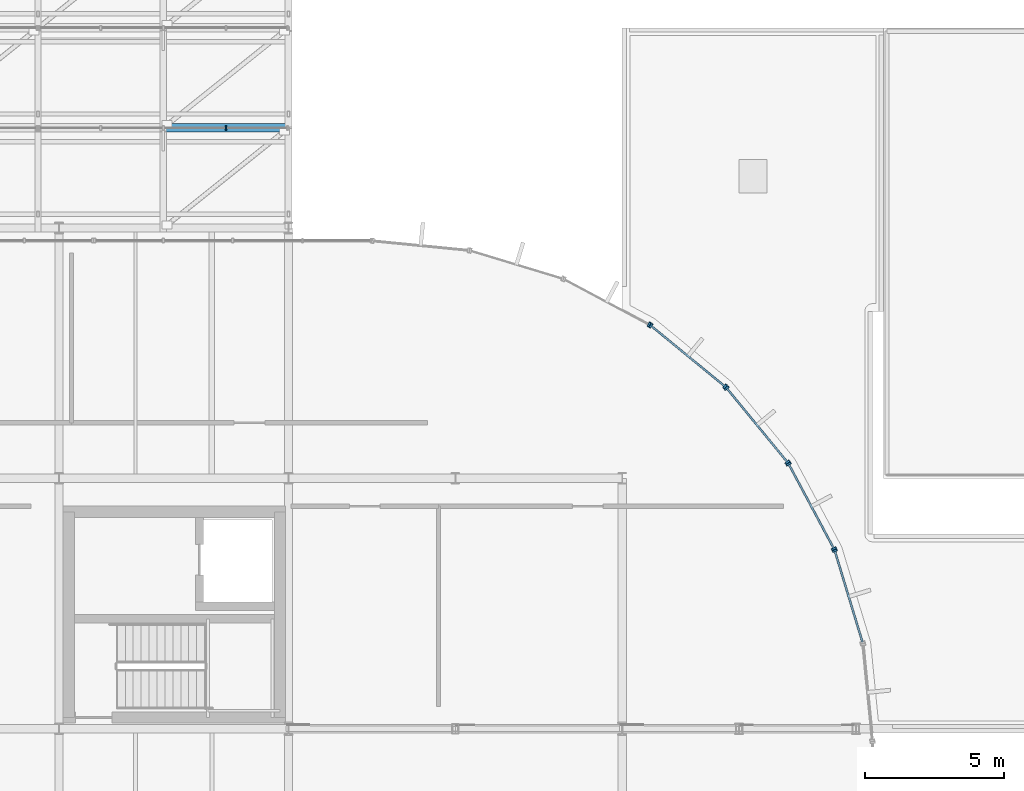
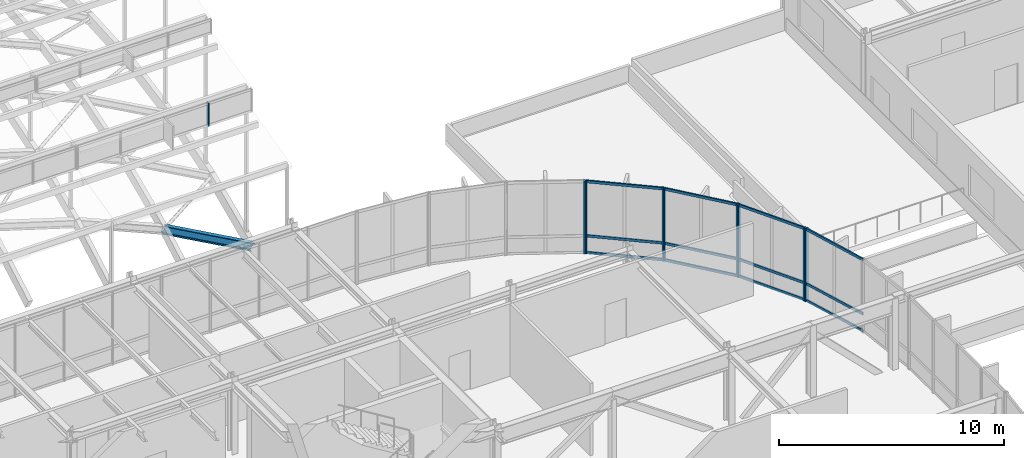
# One storey, part 24 of 69: 21 members, 1 beam, 6 elements without a shape of their own.
"""IFC4 building model written with IfcOpenShell, lengths in metres."""

import ifcopenshell
import ifcopenshell.guid

model = None  # the IFC model being written
_history = None  # IfcOwnerHistory: only IFC2X3 demands one
_inside = {}  # id of a spatial element -> (the spatial element, [elements in it])
_under = {}  # id of a project, library or spatial element -> (it, [spatial elements below it])
_declared = {}  # id of a project -> (the project, [libraries it declares])
_typed = {}  # id of a type object -> (the type object, [elements of that type])
_made_of = {}  # id of a material, layer set ... -> (it, [elements and type objects made of it])


def new_model(schema):
    """Start an empty IFC model of exactly this schema.

    Asked for "IFC4X3", IfcOpenShell would pick the latest addendum, in which some entities
    have other attributes; the version numbers below select the first issue.
    IFC2X3 requires an IfcOwnerHistory on every rooted entity: one is made here for all.
    """
    global model, _history
    if schema == "IFC4X3":
        model = ifcopenshell.file(schema_version=(4, 3, 0, 0))
    else:
        model = ifcopenshell.file(schema=schema)
    _inside.clear()
    _under.clear()
    _declared.clear()
    _typed.clear()
    _made_of.clear()
    _history = None
    if model.schema == "IFC2X3":
        org = make("IfcOrganization", Name="unknown")
        user = make(
            "IfcPersonAndOrganization",
            ThePerson=make("IfcPerson", FamilyName="unknown"),
            TheOrganization=org,
        )
        app = make(
            "IfcApplication",
            ApplicationDeveloper=org,
            Version="unknown",
            ApplicationFullName="unknown",
            ApplicationIdentifier="unknown",
        )
        _history = make(
            "IfcOwnerHistory",
            OwningUser=user,
            OwningApplication=app,
            ChangeAction="ADDED",
            CreationDate=0,
        )
    return model


def make(cls, **values):
    """One entity of the class cls with the attributes given. An attribute that is None is left unset."""
    return model.create_entity(
        cls, **{name: value for name, value in values.items() if value is not None}
    )


def rooted(cls, **values):
    """An entity with a GlobalId (a new one), such as an element, a storey or a relation."""
    return make(cls, GlobalId=ifcopenshell.guid.new(), OwnerHistory=_history, **values)


def si_unit(unit_type, name, prefix=None):
    """IfcSIUnit, for example si_unit("LENGTHUNIT", "METRE", prefix="MILLI")."""
    return make("IfcSIUnit", UnitType=unit_type, Prefix=prefix, Name=name)


def assignment(units):
    """IfcUnitAssignment: the units of a project."""
    return None if units is None else make("IfcUnitAssignment", Units=units)


def point(xyz):
    """IfcCartesianPoint."""
    return None if xyz is None else make("IfcCartesianPoint", Coordinates=xyz)


def direction(xyz):
    """IfcDirection."""
    return None if xyz is None else make("IfcDirection", DirectionRatios=xyz)


def frame(location, z_axis=None, x_axis=None):
    """IfcAxis2Placement3D, a coordinate frame: its origin and axes. An axis left out is left unset."""
    return make(
        "IfcAxis2Placement3D",
        Location=point(location),
        Axis=direction(z_axis),
        RefDirection=direction(x_axis),
    )


def frame_2d(location, x_axis=None):
    """IfcAxis2Placement2D, a coordinate frame in the plane: its origin and x axis."""
    return make(
        "IfcAxis2Placement2D", Location=point(location), RefDirection=direction(x_axis)
    )


def origin():
    """The frame at (0, 0, 0) with its axes left unset."""
    return frame((0.0, 0.0, 0.0))


def origin_2d():
    """The frame at (0, 0) in the plane with its x axis left unset."""
    return frame_2d((0.0, 0.0))


def place(relative_to, where):
    """IfcLocalPlacement: puts the frame where relative to a parent placement (None: the world)."""
    return make(
        "IfcLocalPlacement", PlacementRelTo=relative_to, RelativePlacement=where
    )


def context(
    kind, dimensions, precision=None, world=None, true_north=None, identifier=None
):
    """IfcGeometricRepresentationContext, for example the 3D "Model" context."""
    return make(
        "IfcGeometricRepresentationContext",
        ContextIdentifier=identifier,
        ContextType=kind,
        CoordinateSpaceDimension=dimensions,
        Precision=precision,
        WorldCoordinateSystem=world,
        TrueNorth=true_north,
    )


def subcontext(parent, identifier, kind, view, scale=None):
    """IfcGeometricRepresentationSubContext, for example "Body" below "Model"."""
    return make(
        "IfcGeometricRepresentationSubContext",
        ContextIdentifier=identifier,
        ContextType=kind,
        ParentContext=parent,
        TargetScale=scale,
        TargetView=view,
    )


def project(units=None, contexts=None):
    """IfcProject with its units and contexts."""
    return rooted(
        "IfcProject",
        Name="project",
        RepresentationContexts=contexts,
        UnitsInContext=assignment(units),
    )


def spatial(cls, under=None, at=None, **own):
    """A site, building, storey or space (cls), placed at a placement, below another one or the project."""
    s = rooted(cls, ObjectPlacement=at, **own)
    if under is not None:
        _under.setdefault(under.id(), (under, []))[1].append(s)
    return s


def profile(cls, at=None, kind="AREA", **sizes):
    """A parametric profile (cls). Its sizes go by their IFC names, for example OverallWidth=200.0."""
    return make(cls, ProfileType=kind, Position=at, **sizes)


def rectangle(**sizes):
    """IfcRectangleProfileDef."""
    return profile("IfcRectangleProfileDef", **sizes)


def i_section(**sizes):
    """IfcIShapeProfileDef."""
    return profile("IfcIShapeProfileDef", **sizes)


def extrude(swept, where, along, depth):
    """IfcExtrudedAreaSolid: the profile swept, set in the frame where, extruded along a direction by depth."""
    return make(
        "IfcExtrudedAreaSolid",
        SweptArea=swept,
        Position=where,
        ExtrudedDirection=direction(along),
        Depth=depth,
    )


def shape(context_of_items, identifier, shape_type, items):
    """IfcShapeRepresentation: the items that make up one representation, for example the "Body"."""
    return make(
        "IfcShapeRepresentation",
        ContextOfItems=context_of_items,
        RepresentationIdentifier=identifier,
        RepresentationType=shape_type,
        Items=items,
    )


def material(Name=None, Category=None):
    """IfcMaterial."""
    return make("IfcMaterial", Name=Name, Category=Category)


def layer(
    of_material, thickness, ventilated=None, Name=None, Category=None, Priority=None
):
    """IfcMaterialLayer: one layer of a wall or slab, of a material (None: an air gap)."""
    return make(
        "IfcMaterialLayer",
        Material=of_material,
        LayerThickness=thickness,
        IsVentilated=ventilated,
        Name=Name,
        Category=Category,
        Priority=Priority,
    )


def layer_set(layers, Name=None):
    """IfcMaterialLayerSet."""
    return make("IfcMaterialLayerSet", MaterialLayers=layers, LayerSetName=Name)


def material_profile(
    of_material, cross_section, Name=None, Category=None, Priority=None
):
    """IfcMaterialProfile: a cross section and its material."""
    return make(
        "IfcMaterialProfile",
        Name=Name,
        Material=of_material,
        Profile=cross_section,
        Priority=Priority,
        Category=Category,
    )


def profile_set(profiles, Name=None, composite=None):
    """IfcMaterialProfileSet."""
    return make(
        "IfcMaterialProfileSet",
        Name=Name,
        MaterialProfiles=profiles,
        CompositeProfile=composite,
    )


def made_of(thing, what):
    """Note that an element or type object is made of a material, layer set ...; save() writes the relation."""
    if what is not None:
        _made_of.setdefault(what.id(), (what, []))[1].append(thing)
    return thing


def type_object(cls, material=None, **own):
    """A type object (cls), such as IfcWallType, which elements share."""
    return made_of(rooted(cls, **own), material)


def element(
    cls,
    number,
    at=None,
    inside=None,
    cuts=None,
    type_object=None,
    material=None,
    context=None,
    identifier="Body",
    shape_type=None,
    held_by="IfcProductDefinitionShape",
    body=None,
    shapes=None,
    **own,
):
    """One element of the class cls, such as IfcWall. Its Tag is "e" and its number.

    at: its placement. inside: the storey or other place that contains it. cuts: it is an
    opening in that element (IfcRelVoidsElement). A single representation is given by context,
    identifier, shape_type and body (its items); several are given by shapes. held_by: the class
    of the entity that holds the representations. save() writes the other relations.
    """
    e = rooted(cls, Tag="e%d" % number, ObjectPlacement=at, **own)
    if body is not None:
        shapes = [shape(context, identifier, shape_type, body)]
    if shapes is not None:
        e.Representation = make(held_by, Representations=shapes)
    if inside is not None:
        _inside.setdefault(inside.id(), (inside, []))[1].append(e)
    if cuts is not None:
        rooted(
            "IfcRelVoidsElement", RelatingBuildingElement=cuts, RelatedOpeningElement=e
        )
    if type_object is not None:
        _typed.setdefault(type_object.id(), (type_object, []))[1].append(e)
    return made_of(e, material)


def aggregate(whole, parts):
    """IfcRelAggregates: a whole, such as a stair, and the parts it consists of."""
    return rooted("IfcRelAggregates", RelatingObject=whole, RelatedObjects=parts)


def save(model, path):
    """Write the relations noted so far, then the file.

    IfcRelAggregates (storeys below a building ...), IfcRelContainedInSpatialStructure (elements
    in a storey), IfcRelDefinesByType, IfcRelAssociatesMaterial and IfcRelDeclares: one each for
    every whole, place, type object, material and project.
    """
    for whole, parts in _under.values():
        aggregate(whole, parts)
    for where, things in _inside.values():
        rooted(
            "IfcRelContainedInSpatialStructure",
            RelatedElements=things,
            RelatingStructure=where,
        )
    for kind, things in _typed.values():
        rooted("IfcRelDefinesByType", RelatedObjects=things, RelatingType=kind)
    for what, things in _made_of.values():
        rooted("IfcRelAssociatesMaterial", RelatedObjects=things, RelatingMaterial=what)
    for by, libraries in _declared.values():
        rooted("IfcRelDeclares", RelatingContext=by, RelatedDefinitions=libraries)
    model.write(path)


model = new_model("IFC4")

# Units and contexts
model_context = context("Model", 3, precision=1e-05, world=origin(), true_north=direction((0.0, 1.0)))
body_context = subcontext(model_context, "Body", "Model", "MODEL_VIEW")
ifc_project = project(units=[si_unit("LENGTHUNIT", "METRE"), si_unit("AREAUNIT", "SQUARE_METRE"), si_unit("VOLUMEUNIT", "CUBIC_METRE"), si_unit("PLANEANGLEUNIT", "RADIAN"), si_unit("MASSUNIT", "GRAM", prefix="KILO")], contexts=[model_context])

# Site, building, storey
site_placement = place(None, origin())
site = spatial("IfcSite", under=ifc_project, at=site_placement, CompositionType="ELEMENT")
building_placement = place(site_placement, origin())
building = spatial("IfcBuilding", under=site, at=building_placement, Name="Montealbar Specialist Clinic", CompositionType="ELEMENT")
storey_placement = place(building_placement, frame((0.0, 0.0, 9.60009765625)))
storey = spatial("IfcBuildingStorey", under=building, at=storey_placement, Name="L02", CompositionType="ELEMENT", Elevation=9.60009765625)

# Beam
ifc_material_1 = material(Name="Steel S355", Category="steel")
ifc_material_profile_1 = material_profile(ifc_material_1, i_section(OverallWidth=0.300048828125, OverallDepth=0.39990234375, WebThickness=0.013427734375, FlangeThickness=0.02392578125, FilletRadius=0.027099609375, at=origin_2d()), Name="HEB 400", Category="steel")
ifc_profile_set_1 = profile_set([ifc_material_profile_1], Name="Steel S355")
beam_type = type_object("IfcBeamType", Name="BM-GIRD-HEB400-EXT", PredefinedType="BEAM", material=ifc_profile_set_1)
beam_placement = place(storey_placement, frame((94.5, 48.60009765625, 3.115966796875), z_axis=(0.874559834946, 0.0, -0.484917616816), x_axis=(0.0, 1.0, 0.0)))
element("IfcBeam", 1, at=beam_placement, inside=storey, type_object=beam_type, Name="Gridshell Roof Truss Arch Rib X 1-9", PredefinedType="BEAM", context=body_context, shape_type="SweptSolid", body=[
    extrude(i_section(OverallWidth=0.300048828125, OverallDepth=0.39990234375, WebThickness=0.013427734375, FlangeThickness=0.02392578125, FilletRadius=0.027099609375, at=origin_2d()), origin(), (0.0, 0.0, 1.0), 5.1455078125),
])

# Curtain wall, member
ifc_material_2 = material(Name="Low-E double glazing", Category="glass")
ifc_layer_1 = layer(ifc_material_2, 0.199951171875, Name="Low-E double glazing", Category="glass")
ifc_layer_set_1 = layer_set([ifc_layer_1], Name="Low-E double glazing")
curtain_wall_type_1 = type_object("IfcCurtainWallType", Name="CW-TYPE-47", PredefinedType="NOTDEFINED", material=ifc_layer_set_1)
curtain_wall_1_placement = place(storey_placement, origin())
curtain_wall_1 = element("IfcCurtainWall", 2, at=curtain_wall_1_placement, inside=storey, type_object=curtain_wall_type_1, Name="Unitised Curtain Wall CW-L02-900-486-990-486-175", PredefinedType="NOTDEFINED")
ifc_material_3 = material(Name="Anodised aluminium EN AW-6063", Category="aluminium")
ifc_material_profile_2 = material_profile(ifc_material_3, rectangle(XDim=0.06005859375, YDim=0.159912109375, at=origin_2d()), Name="ALU 60x160", Category="aluminium")
ifc_profile_set_2 = profile_set([ifc_material_profile_2], Name="Anodised aluminium EN AW-6063")
member_type_1 = type_object("IfcMemberType", Name="CW-MUL-160", PredefinedType="MULLION", material=ifc_profile_set_2)
member_1_placement = place(storey_placement, frame((96.75, 48.60009765625, 7.933837890625), z_axis=(0.0, 0.0, 1.0), x_axis=(1.0, 0.0, 0.0)))
member_1 = element("IfcMember", 3, at=member_1_placement, type_object=member_type_1, Name="Curtain Wall Mullion CW-L02-900-486-990-486-175-03", PredefinedType="MULLION", context=body_context, shape_type="SweptSolid", body=[
    extrude(rectangle(XDim=0.06005859375, YDim=0.159912109375, at=origin_2d()), origin(), (0.0, 0.0, 1.0), 1.257080078125),
])
aggregate(curtain_wall_1, [member_1])

ifc_layer_2 = layer(ifc_material_2, 0.199951171875, Name="Low-E double glazing", Category="glass")
ifc_layer_set_2 = layer_set([ifc_layer_2], Name="Low-E double glazing")
curtain_wall_type_2 = type_object("IfcCurtainWallType", Name="CW-TYPE-12", PredefinedType="NOTDEFINED", material=ifc_layer_set_2)
curtain_wall_2_placement = place(storey_placement, origin())
curtain_wall_2 = element("IfcCurtainWall", 4, at=curtain_wall_2_placement, inside=storey, type_object=curtain_wall_type_2, Name="Unitised Curtain Wall CW-L02-1089-432-1120-415-96", PredefinedType="NOTDEFINED")
ifc_material_profile_3 = material_profile(ifc_material_3, rectangle(XDim=0.070068359375, YDim=0.179931640625, at=origin_2d()), Name="ALU 70x180", Category="aluminium")
ifc_profile_set_3 = profile_set([ifc_material_profile_3], Name="Anodised aluminium EN AW-6063")
member_type_2 = type_object("IfcMemberType", Name="CW-MUL-200", PredefinedType="MULLION", material=ifc_profile_set_3)
member_2_placement = place(storey_placement, frame((111.965087890625, 41.534912109375, 0.0), z_axis=(0.0, 0.0, 1.0), x_axis=(0.881850411644, -0.471529268958, 0.0)))
member_2 = element("IfcMember", 5, at=member_2_placement, type_object=member_type_2, Name="Curtain Wall Mullion CW-L02-1089-432-1120-415-96-01", PredefinedType="MULLION", context=body_context, shape_type="SweptSolid", body=[
    extrude(rectangle(XDim=0.070068359375, YDim=0.179931640625, at=origin_2d()), origin(), (0.0, 0.0, 1.0), 3.929931640625),
])
aggregate(curtain_wall_2, [member_2])

# Curtain wall, members
curtain_wall_3_placement = place(storey_placement, origin())
curtain_wall_3 = element("IfcCurtainWall", 6, at=curtain_wall_3_placement, inside=storey, type_object=curtain_wall_type_2, Name="Unitised Curtain Wall CW-L02-1120-415-1147-393-96", PredefinedType="NOTDEFINED")
member_3_placement = place(storey_placement, frame((112.031005859375, 41.490966796875, 0.0), z_axis=(0.0, 0.0, 1.0), x_axis=(0.773123255923, -0.634255808922, 0.0)))
member_3 = element("IfcMember", 7, at=member_3_placement, type_object=member_type_2, Name="Curtain Wall Mullion CW-L02-1120-415-1147-393-96-00", PredefinedType="MULLION", context=body_context, shape_type="SweptSolid", body=[
    extrude(rectangle(XDim=0.070068359375, YDim=0.179931640625, at=origin_2d()), origin(), (0.0, 0.0, 1.0), 3.929931640625),
])
member_4_placement = place(storey_placement, frame((114.697021484375, 39.302978515625, 0.0), z_axis=(0.0, 0.0, 1.0), x_axis=(0.773123255923, -0.634255808922, 0.0)))
member_4 = element("IfcMember", 8, at=member_4_placement, type_object=member_type_2, Name="Curtain Wall Mullion CW-L02-1120-415-1147-393-96-01", PredefinedType="MULLION", context=body_context, shape_type="SweptSolid", body=[
    extrude(rectangle(XDim=0.070068359375, YDim=0.179931640625, at=origin_2d()), origin(), (0.0, 0.0, 1.0), 3.929931640625),
])

curtain_wall_4_placement = place(storey_placement, origin())
curtain_wall_4 = element("IfcCurtainWall", 9, at=curtain_wall_4_placement, inside=storey, type_object=curtain_wall_type_2, Name="Unitised Curtain Wall CW-L02-1147-393-1170-366-96", PredefinedType="NOTDEFINED")
member_5_placement = place(storey_placement, frame((114.7529296875, 39.2470703125, 0.0), z_axis=(0.0, 0.0, 1.0), x_axis=(0.634255808922, -0.773123255923, 0.0)))
member_5 = element("IfcMember", 10, at=member_5_placement, type_object=member_type_2, Name="Curtain Wall Mullion CW-L02-1147-393-1170-366-96-00", PredefinedType="MULLION", context=body_context, shape_type="SweptSolid", body=[
    extrude(rectangle(XDim=0.070068359375, YDim=0.179931640625, at=origin_2d()), origin(), (0.0, 0.0, 1.0), 3.929931640625),
])
member_6_placement = place(storey_placement, frame((116.94091796875, 36.5810546875, 0.0), z_axis=(0.0, 0.0, 1.0), x_axis=(0.634255808922, -0.773123255923, 0.0)))
member_6 = element("IfcMember", 11, at=member_6_placement, type_object=member_type_2, Name="Curtain Wall Mullion CW-L02-1147-393-1170-366-96-01", PredefinedType="MULLION", context=body_context, shape_type="SweptSolid", body=[
    extrude(rectangle(XDim=0.070068359375, YDim=0.179931640625, at=origin_2d()), origin(), (0.0, 0.0, 1.0), 3.929931640625),
])

curtain_wall_5_placement = place(storey_placement, origin())
curtain_wall_5 = element("IfcCurtainWall", 12, at=curtain_wall_5_placement, inside=storey, type_object=curtain_wall_type_2, Name="Unitised Curtain Wall CW-L02-1170-366-1186-334-96", PredefinedType="NOTDEFINED")
member_7_placement = place(storey_placement, frame((116.985107421875, 36.514892578125, 0.0), z_axis=(0.0, 0.0, 1.0), x_axis=(0.471529268958, -0.881850411644, 0.0)))
member_7 = element("IfcMember", 13, at=member_7_placement, type_object=member_type_2, Name="Curtain Wall Mullion CW-L02-1170-366-1186-334-96-00", PredefinedType="MULLION", context=body_context, shape_type="SweptSolid", body=[
    extrude(rectangle(XDim=0.070068359375, YDim=0.179931640625, at=origin_2d()), origin(), (0.0, 0.0, 1.0), 3.929931640625),
])
member_8_placement = place(storey_placement, frame((118.611083984375, 33.472900390625, 0.0), z_axis=(0.0, 0.0, 1.0), x_axis=(0.471529268958, -0.881850411644, 0.0)))
member_8 = element("IfcMember", 14, at=member_8_placement, type_object=member_type_2, Name="Curtain Wall Mullion CW-L02-1170-366-1186-334-96-01", PredefinedType="MULLION", context=body_context, shape_type="SweptSolid", body=[
    extrude(rectangle(XDim=0.070068359375, YDim=0.179931640625, at=origin_2d()), origin(), (0.0, 0.0, 1.0), 3.929931640625),
])

# Curtain wall, member
curtain_wall_6_placement = place(storey_placement, origin())
curtain_wall_6 = element("IfcCurtainWall", 15, at=curtain_wall_6_placement, inside=storey, type_object=curtain_wall_type_2, Name="Unitised Curtain Wall CW-L02-1186-334-1197-301-96", PredefinedType="NOTDEFINED")
member_9_placement = place(storey_placement, frame((118.64208984375, 33.39990234375, 0.0), z_axis=(0.0, 0.0, 1.0), x_axis=(0.290259134399, -0.956948083701, 0.0)))
member_9 = element("IfcMember", 16, at=member_9_placement, type_object=member_type_2, Name="Curtain Wall Mullion CW-L02-1186-334-1197-301-96-00", PredefinedType="MULLION", context=body_context, shape_type="SweptSolid", body=[
    extrude(rectangle(XDim=0.070068359375, YDim=0.179931640625, at=origin_2d()), origin(), (0.0, 0.0, 1.0), 3.929931640625),
])

# Member
ifc_material_4 = material(Name="Powder-coated aluminium", Category="aluminium")
ifc_material_profile_4 = material_profile(ifc_material_4, rectangle(XDim=0.070068359375, YDim=0.139892578125, at=origin_2d()), Name="ALU 70x140", Category="aluminium")
ifc_profile_set_4 = profile_set([ifc_material_profile_4], Name="Powder-coated aluminium")
member_type_3 = type_object("IfcMemberType", Name="CW-TRN-140", PredefinedType="USERDEFINED", material=ifc_profile_set_4)
member_10_placement = place(storey_placement, frame((112.0390625, 41.48388671875, 0.039794921875), z_axis=(0.773137851948, -0.634238016745, 0.0), x_axis=(0.634238016745, 0.773137851948, 0.0)))
member_10 = element("IfcMember", 17, at=member_10_placement, type_object=member_type_3, Name="Curtain Wall Transom CW-L02-1120-415-1147-393-96-00", ObjectType="TRANSOM", PredefinedType="USERDEFINED", context=body_context, shape_type="SweptSolid", body=[
    extrude(rectangle(XDim=0.070068359375, YDim=0.139892578125, at=origin_2d()), origin(), (0.0, 0.0, 1.0), 3.427490234375),
])

member_11_placement = place(storey_placement, frame((112.0390625, 41.48388671875, 0.949951171875), z_axis=(0.773137851948, -0.634238016745, 0.0), x_axis=(0.634238016745, 0.773137851948, 0.0)))
member_11 = element("IfcMember", 18, at=member_11_placement, type_object=member_type_3, Name="Curtain Wall Transom CW-L02-1120-415-1147-393-96-01", ObjectType="TRANSOM", PredefinedType="USERDEFINED", context=body_context, shape_type="SweptSolid", body=[
    extrude(rectangle(XDim=0.070068359375, YDim=0.139892578125, at=origin_2d()), origin(), (0.0, 0.0, 1.0), 3.427490234375),
])

member_12_placement = place(storey_placement, frame((112.0390625, 41.48388671875, 3.889892578125), z_axis=(0.773137851948, -0.634238016745, 0.0), x_axis=(0.634238016745, 0.773137851948, 0.0)))
member_12 = element("IfcMember", 19, at=member_12_placement, type_object=member_type_3, Name="Curtain Wall Transom CW-L02-1120-415-1147-393-96-02", ObjectType="TRANSOM", PredefinedType="USERDEFINED", context=body_context, shape_type="SweptSolid", body=[
    extrude(rectangle(XDim=0.070068359375, YDim=0.139892578125, at=origin_2d()), origin(), (0.0, 0.0, 1.0), 3.427490234375),
])

aggregate(curtain_wall_3, [member_3, member_4, member_10, member_11, member_12])

member_13_placement = place(storey_placement, frame((114.760009765625, 39.239013671875, 0.039794921875), z_axis=(0.634280591441, -0.773102924144, 0.0), x_axis=(0.773102924144, 0.634280591441, 0.0)))
member_13 = element("IfcMember", 20, at=member_13_placement, type_object=member_type_3, Name="Curtain Wall Transom CW-L02-1147-393-1170-366-96-00", ObjectType="TRANSOM", PredefinedType="USERDEFINED", context=body_context, shape_type="SweptSolid", body=[
    extrude(rectangle(XDim=0.070068359375, YDim=0.139892578125, at=origin_2d()), origin(), (0.0, 0.0, 1.0), 3.427734375),
])

member_14_placement = place(storey_placement, frame((114.760009765625, 39.239013671875, 0.949951171875), z_axis=(0.634280591441, -0.773102924144, 0.0), x_axis=(0.773102924144, 0.634280591441, 0.0)))
member_14 = element("IfcMember", 21, at=member_14_placement, type_object=member_type_3, Name="Curtain Wall Transom CW-L02-1147-393-1170-366-96-01", ObjectType="TRANSOM", PredefinedType="USERDEFINED", context=body_context, shape_type="SweptSolid", body=[
    extrude(rectangle(XDim=0.070068359375, YDim=0.139892578125, at=origin_2d()), origin(), (0.0, 0.0, 1.0), 3.427734375),
])

member_15_placement = place(storey_placement, frame((114.760009765625, 39.239013671875, 3.889892578125), z_axis=(0.634280591441, -0.773102924144, 0.0), x_axis=(0.773102924144, 0.634280591441, 0.0)))
member_15 = element("IfcMember", 22, at=member_15_placement, type_object=member_type_3, Name="Curtain Wall Transom CW-L02-1147-393-1170-366-96-02", ObjectType="TRANSOM", PredefinedType="USERDEFINED", context=body_context, shape_type="SweptSolid", body=[
    extrude(rectangle(XDim=0.070068359375, YDim=0.139892578125, at=origin_2d()), origin(), (0.0, 0.0, 1.0), 3.427734375),
])

aggregate(curtain_wall_4, [member_5, member_6, member_13, member_14, member_15])

member_16_placement = place(storey_placement, frame((116.989990234375, 36.506103515625, 0.039794921875), z_axis=(0.471286558069, -0.881980147273, 0.0), x_axis=(0.881980147273, 0.471286558069, 0.0)))
member_16 = element("IfcMember", 23, at=member_16_placement, type_object=member_type_3, Name="Curtain Wall Transom CW-L02-1170-366-1186-334-96-00", ObjectType="TRANSOM", PredefinedType="USERDEFINED", context=body_context, shape_type="SweptSolid", body=[
    extrude(rectangle(XDim=0.070068359375, YDim=0.139892578125, at=origin_2d()), origin(), (0.0, 0.0, 1.0), 3.428955078125),
])

member_17_placement = place(storey_placement, frame((116.989990234375, 36.506103515625, 0.949951171875), z_axis=(0.471286558069, -0.881980147273, 0.0), x_axis=(0.881980147273, 0.471286558069, 0.0)))
member_17 = element("IfcMember", 24, at=member_17_placement, type_object=member_type_3, Name="Curtain Wall Transom CW-L02-1170-366-1186-334-96-01", ObjectType="TRANSOM", PredefinedType="USERDEFINED", context=body_context, shape_type="SweptSolid", body=[
    extrude(rectangle(XDim=0.070068359375, YDim=0.139892578125, at=origin_2d()), origin(), (0.0, 0.0, 1.0), 3.428955078125),
])

member_18_placement = place(storey_placement, frame((116.989990234375, 36.506103515625, 3.889892578125), z_axis=(0.471286558069, -0.881980147273, 0.0), x_axis=(0.881980147273, 0.471286558069, 0.0)))
member_18 = element("IfcMember", 25, at=member_18_placement, type_object=member_type_3, Name="Curtain Wall Transom CW-L02-1170-366-1186-334-96-02", ObjectType="TRANSOM", PredefinedType="USERDEFINED", context=body_context, shape_type="SweptSolid", body=[
    extrude(rectangle(XDim=0.070068359375, YDim=0.139892578125, at=origin_2d()), origin(), (0.0, 0.0, 1.0), 3.428955078125),
])

aggregate(curtain_wall_5, [member_7, member_8, member_16, member_17, member_18])

member_19_placement = place(storey_placement, frame((118.64501953125, 33.389892578125, 0.039794921875), z_axis=(0.290013326855, -0.957022606967, 0.0), x_axis=(0.957022606967, 0.290013326855, 0.0)))
member_19 = element("IfcMember", 26, at=member_19_placement, type_object=member_type_3, Name="Curtain Wall Transom CW-L02-1186-334-1197-301-96-00", ObjectType="TRANSOM", PredefinedType="USERDEFINED", context=body_context, shape_type="SweptSolid", body=[
    extrude(rectangle(XDim=0.070068359375, YDim=0.139892578125, at=origin_2d()), origin(), (0.0, 0.0, 1.0), 3.427001953125),
])

member_20_placement = place(storey_placement, frame((118.64501953125, 33.389892578125, 0.949951171875), z_axis=(0.290013326855, -0.957022606967, 0.0), x_axis=(0.957022606967, 0.290013326855, 0.0)))
member_20 = element("IfcMember", 27, at=member_20_placement, type_object=member_type_3, Name="Curtain Wall Transom CW-L02-1186-334-1197-301-96-01", ObjectType="TRANSOM", PredefinedType="USERDEFINED", context=body_context, shape_type="SweptSolid", body=[
    extrude(rectangle(XDim=0.070068359375, YDim=0.139892578125, at=origin_2d()), origin(), (0.0, 0.0, 1.0), 3.427001953125),
])

member_21_placement = place(storey_placement, frame((118.64501953125, 33.389892578125, 3.889892578125), z_axis=(0.290013326855, -0.957022606967, 0.0), x_axis=(0.957022606967, 0.290013326855, 0.0)))
member_21 = element("IfcMember", 28, at=member_21_placement, type_object=member_type_3, Name="Curtain Wall Transom CW-L02-1186-334-1197-301-96-02", ObjectType="TRANSOM", PredefinedType="USERDEFINED", context=body_context, shape_type="SweptSolid", body=[
    extrude(rectangle(XDim=0.070068359375, YDim=0.139892578125, at=origin_2d()), origin(), (0.0, 0.0, 1.0), 3.427001953125),
])

aggregate(curtain_wall_6, [member_9, member_19, member_20, member_21])

save(model, "model.ifc")
